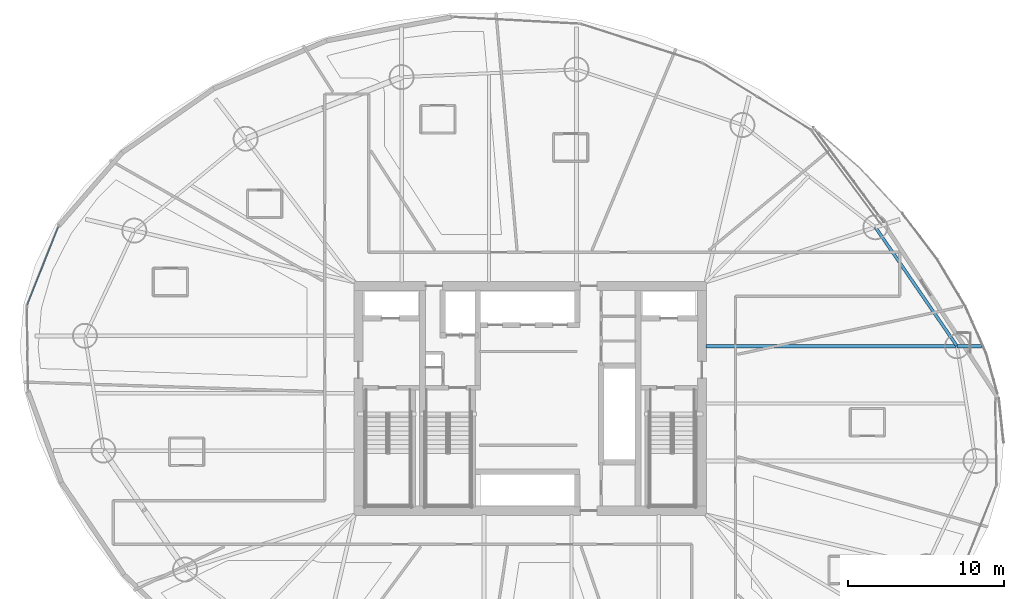
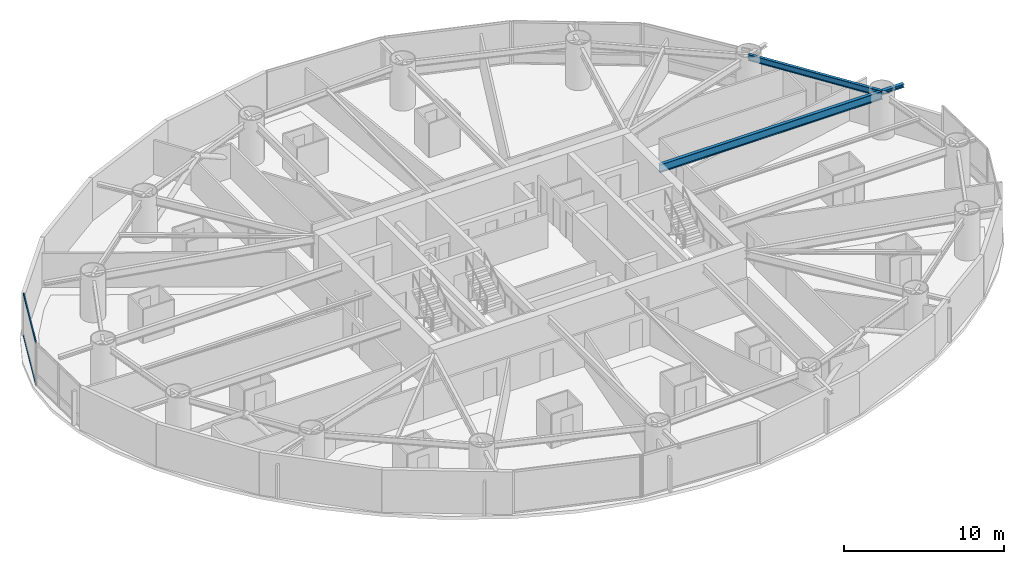
# One storey, part 11 of 26: 3 beams, 2 members, 1 element without a shape of its own.
"""IFC4 building model written with IfcOpenShell, lengths in metres."""

from ifc_helpers import new_model, si_unit, direction, frame, origin, origin_2d, place, context, subcontext, project, spatial, hollow_rectangle, i_section, extrude, material, layer, layer_set, material_profile, profile_set, type_object, element, aggregate, save


model = new_model("IFC4")

# Units and contexts
model_context = context("Model", 3, precision=1e-05, world=origin(), true_north=direction((0.0, 1.0)))
body_context = subcontext(model_context, "Body", "Model", "MODEL_VIEW")
ifc_project = project(units=[si_unit("LENGTHUNIT", "METRE"), si_unit("AREAUNIT", "SQUARE_METRE"), si_unit("VOLUMEUNIT", "CUBIC_METRE"), si_unit("PLANEANGLEUNIT", "RADIAN"), si_unit("MASSUNIT", "GRAM", prefix="KILO")], contexts=[model_context])

# Site, building, storey
site_placement = place(None, origin())
site = spatial("IfcSite", under=ifc_project, at=site_placement, CompositionType="ELEMENT")
building_placement = place(site_placement, origin())
building = spatial("IfcBuilding", under=site, at=building_placement, Name="Bramvorn Convention Spire", CompositionType="ELEMENT")
storey_placement = place(building_placement, frame((0.0, 0.0, 76.39990234375)))
storey = spatial("IfcBuildingStorey", under=building, at=storey_placement, Name="L17", CompositionType="ELEMENT", Elevation=76.39990234375)

# Beams
ifc_material_1 = material(Name="Steel CSA G40.21 Grade 350 (350W)", Category="steel")
ifc_material_profile_1 = material_profile(ifc_material_1, i_section(OverallWidth=0.25390625, OverallDepth=0.2529296875, WebThickness=0.008544921875, FlangeThickness=0.01416015625, FilletRadius=0.011962890625, at=origin_2d()))
ifc_profile_set_1 = profile_set([ifc_material_profile_1], Name="Steel CSA G40.21 Grade 350 (350W) - W250X73")
beam_type_1 = type_object("IfcBeamType", Name="BM-W250X73", PredefinedType="BEAM", material=ifc_profile_set_1)
beam_1_placement = place(storey_placement, frame((65.338623046875, 29.340087890625, 3.12353515625), z_axis=(1.0, 0.0, 0.0), x_axis=(0.0, 1.0, 0.0)))
element("IfcBeam", 1, at=beam_1_placement, inside=storey, type_object=beam_type_1, Name="L17 slab-edge cantilever tip beam MC02", PredefinedType="BEAM", context=body_context, shape_type="SweptSolid", body=[
    extrude(i_section(OverallWidth=0.25390625, OverallDepth=0.2529296875, WebThickness=0.008544921875, FlangeThickness=0.01416015625, FilletRadius=0.011962890625, at=origin_2d()), origin(), (0.0, 0.0, 1.0), 1.5556640625),
])
ifc_material_profile_2 = material_profile(ifc_material_1, i_section(OverallWidth=0.194091796875, OverallDepth=0.468994140625, WebThickness=0.0126953125, FlangeThickness=0.0205078125, FilletRadius=0.01806640625, at=origin_2d()))
ifc_profile_set_2 = profile_set([ifc_material_profile_2], Name="Steel CSA G40.21 Grade 350 (350W) - W460X106")
beam_type_2 = type_object("IfcBeamType", Name="BM-W460X106", PredefinedType="SPANDREL", material=ifc_profile_set_2)
beam_2_placement = place(storey_placement, frame((65.338623046875, 29.340087890625, 3.015625), z_axis=(-0.566129730789, 0.824316157743, 0.0), x_axis=(-0.824316157743, -0.566129730789, 0.0)))
element("IfcBeam", 2, at=beam_2_placement, inside=storey, type_object=beam_type_2, Name="L17 mega-column ring beam 02", PredefinedType="SPANDREL", context=body_context, shape_type="SweptSolid", body=[
    extrude(i_section(OverallWidth=0.194091796875, OverallDepth=0.468994140625, WebThickness=0.0126953125, FlangeThickness=0.0205078125, FilletRadius=0.01806640625, at=origin_2d()), origin(), (0.0, 0.0, 1.0), 9.244140625),
])
ifc_material_profile_3 = material_profile(ifc_material_1, i_section(OverallWidth=0.22998046875, OverallDepth=0.616943359375, WebThickness=0.01318359375, FlangeThickness=0.022216796875, FilletRadius=0.02001953125, at=origin_2d()))
ifc_profile_set_3 = profile_set([ifc_material_profile_3], Name="Steel CSA G40.21 Grade 350 (350W) - W610X140")
beam_type_3 = type_object("IfcBeamType", Name="BM-W610X140", PredefinedType="BEAM", material=ifc_profile_set_3)
beam_3_placement = place(storey_placement, frame((49.25, 29.340087890625, 2.941650390625), z_axis=(1.0, 0.0, 0.0), x_axis=(0.0, 1.0, 0.0)))
element("IfcBeam", 3, at=beam_3_placement, inside=storey, type_object=beam_type_3, Name="L17 radial floor girder MC02", PredefinedType="BEAM", context=body_context, shape_type="SweptSolid", body=[
    extrude(i_section(OverallWidth=0.22998046875, OverallDepth=0.616943359375, WebThickness=0.01318359375, FlangeThickness=0.022216796875, FilletRadius=0.02001953125, at=origin_2d()), origin(), (0.0, 0.0, 1.0), 16.088623046875),
])

# Curtain wall, members
ifc_material_2 = material(Name="Anodised Bronze Unitised Curtain Wall", Category="aluminium")
ifc_layer = layer(ifc_material_2, 0.179931640625)
ifc_layer_set = layer_set([ifc_layer], Name="Anodised Bronze Unitised Curtain Wall - CW-HTL-FRIT")
curtain_wall_type = type_object("IfcCurtainWallType", Name="CW-HTL-FRIT", PredefinedType="USERDEFINED", material=ifc_layer_set)
curtain_wall_placement = place(storey_placement, origin())
curtain_wall = element("IfcCurtainWall", 4, at=curtain_wall_placement, inside=storey, type_object=curtain_wall_type, Name="L17 fritted glass curtain wall 12", ObjectType="UNITISED CURTAIN WALL", PredefinedType="USERDEFINED")
ifc_material_3 = material(Name="Anodised Bronze Aluminium 6063-T6", Category="aluminium")
ifc_material_profile_4 = material_profile(ifc_material_3, hollow_rectangle(XDim=0.080078125, YDim=0.159912109375, WallThickness=0.00390625, InnerFilletRadius=0.0009765625, OuterFilletRadius=0.00390625, at=origin_2d()))
ifc_profile_set_4 = profile_set([ifc_material_profile_4], Name="Anodised Bronze Aluminium 6063-T6 - CWT80X160")
member_type = type_object("IfcMemberType", Name="CW-TRN-150", PredefinedType="USERDEFINED", material=ifc_profile_set_4)
member_1_placement = place(storey_placement, frame((5.785888671875, 32.001220703125, 0.030029296875), z_axis=(0.37037286801, 0.92888316738, 0.0), x_axis=(-0.92888316738, 0.37037286801, 0.0)))
member_1 = element("IfcMember", 5, at=member_1_placement, type_object=member_type, Name="CW2 transom 1.1", ObjectType="TRANSOM", PredefinedType="USERDEFINED", context=body_context, shape_type="SweptSolid", body=[
    extrude(hollow_rectangle(XDim=0.080078125, YDim=0.159912109375, WallThickness=0.00390625, InnerFilletRadius=0.0009765625, OuterFilletRadius=0.00390625, at=origin_2d()), origin(), (0.0, 0.0, 1.0), 5.37744140625),
])
member_2_placement = place(storey_placement, frame((5.785888671875, 32.001220703125, 3.22021484375), z_axis=(0.37037286801, 0.92888316738, 0.0), x_axis=(-0.92888316738, 0.37037286801, 0.0)))
member_2 = element("IfcMember", 6, at=member_2_placement, type_object=member_type, Name="CW2 transom 1.2", ObjectType="TRANSOM", PredefinedType="USERDEFINED", context=body_context, shape_type="SweptSolid", body=[
    extrude(hollow_rectangle(XDim=0.080078125, YDim=0.159912109375, WallThickness=0.00390625, InnerFilletRadius=0.0009765625, OuterFilletRadius=0.00390625, at=origin_2d()), origin(), (0.0, 0.0, 1.0), 5.37744140625),
])
aggregate(curtain_wall, [member_1, member_2])

save(model, "model.ifc")
